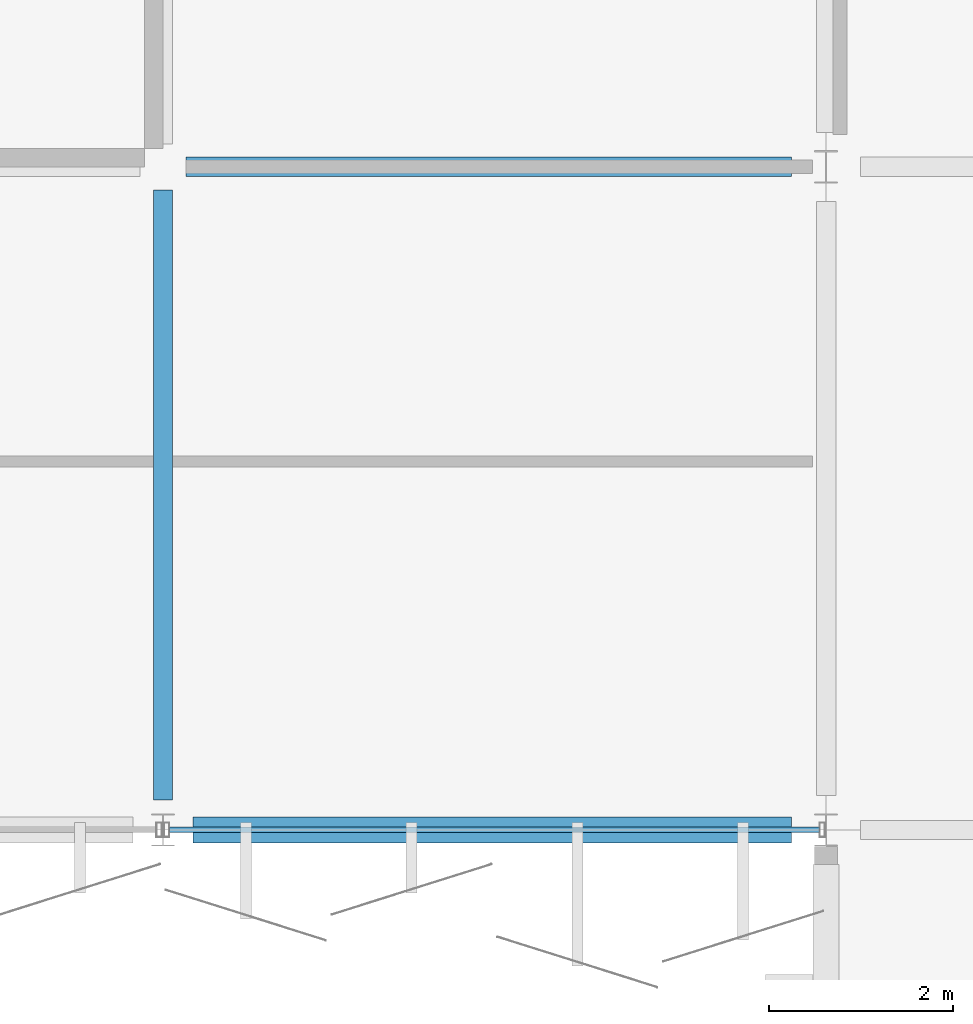
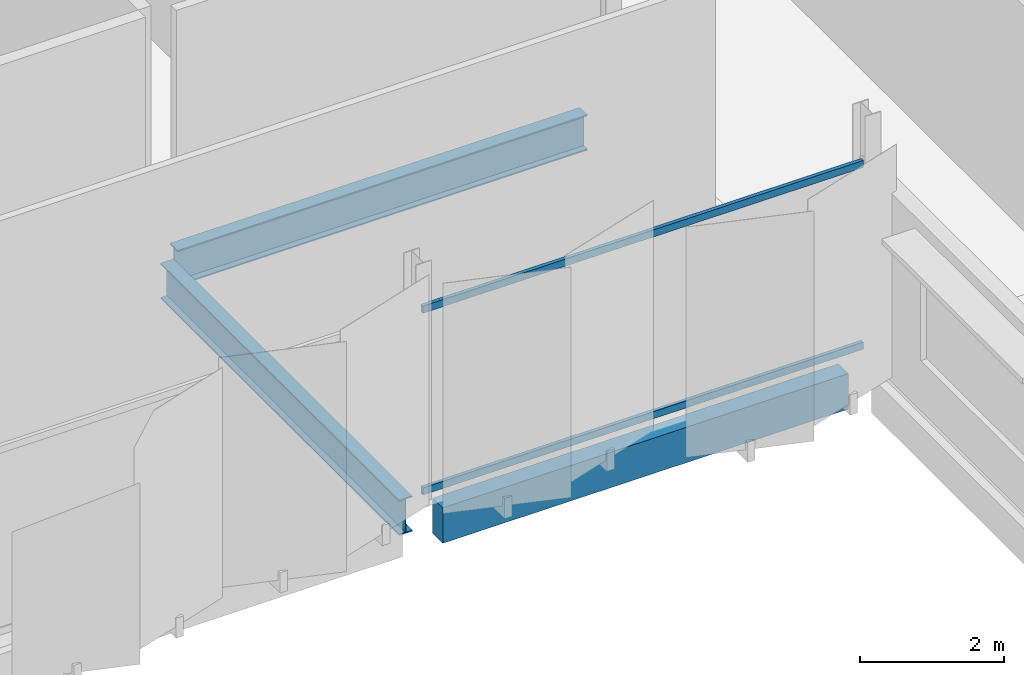
# One storey, part 50 of 91: 3 beams, 2 members, 1 element without a shape of its own.
"""IFC4 building model written with IfcOpenShell, lengths in metres."""

import ifcopenshell
import ifcopenshell.guid

model = None  # the IFC model being written
_history = None  # IfcOwnerHistory: only IFC2X3 demands one
_inside = {}  # id of a spatial element -> (the spatial element, [elements in it])
_under = {}  # id of a project, library or spatial element -> (it, [spatial elements below it])
_declared = {}  # id of a project -> (the project, [libraries it declares])
_typed = {}  # id of a type object -> (the type object, [elements of that type])
_made_of = {}  # id of a material, layer set ... -> (it, [elements and type objects made of it])


def new_model(schema):
    """Start an empty IFC model of exactly this schema.

    Asked for "IFC4X3", IfcOpenShell would pick the latest addendum, in which some entities
    have other attributes; the version numbers below select the first issue.
    IFC2X3 requires an IfcOwnerHistory on every rooted entity: one is made here for all.
    """
    global model, _history
    if schema == "IFC4X3":
        model = ifcopenshell.file(schema_version=(4, 3, 0, 0))
    else:
        model = ifcopenshell.file(schema=schema)
    _inside.clear()
    _under.clear()
    _declared.clear()
    _typed.clear()
    _made_of.clear()
    _history = None
    if model.schema == "IFC2X3":
        org = make("IfcOrganization", Name="unknown")
        user = make(
            "IfcPersonAndOrganization",
            ThePerson=make("IfcPerson", FamilyName="unknown"),
            TheOrganization=org,
        )
        app = make(
            "IfcApplication",
            ApplicationDeveloper=org,
            Version="unknown",
            ApplicationFullName="unknown",
            ApplicationIdentifier="unknown",
        )
        _history = make(
            "IfcOwnerHistory",
            OwningUser=user,
            OwningApplication=app,
            ChangeAction="ADDED",
            CreationDate=0,
        )
    return model


def make(cls, **values):
    """One entity of the class cls with the attributes given. An attribute that is None is left unset."""
    return model.create_entity(
        cls, **{name: value for name, value in values.items() if value is not None}
    )


def rooted(cls, **values):
    """An entity with a GlobalId (a new one), such as an element, a storey or a relation."""
    return make(cls, GlobalId=ifcopenshell.guid.new(), OwnerHistory=_history, **values)


def si_unit(unit_type, name, prefix=None):
    """IfcSIUnit, for example si_unit("LENGTHUNIT", "METRE", prefix="MILLI")."""
    return make("IfcSIUnit", UnitType=unit_type, Prefix=prefix, Name=name)


def assignment(units):
    """IfcUnitAssignment: the units of a project."""
    return None if units is None else make("IfcUnitAssignment", Units=units)


def point(xyz):
    """IfcCartesianPoint."""
    return None if xyz is None else make("IfcCartesianPoint", Coordinates=xyz)


def direction(xyz):
    """IfcDirection."""
    return None if xyz is None else make("IfcDirection", DirectionRatios=xyz)


def frame(location, z_axis=None, x_axis=None):
    """IfcAxis2Placement3D, a coordinate frame: its origin and axes. An axis left out is left unset."""
    return make(
        "IfcAxis2Placement3D",
        Location=point(location),
        Axis=direction(z_axis),
        RefDirection=direction(x_axis),
    )


def frame_2d(location, x_axis=None):
    """IfcAxis2Placement2D, a coordinate frame in the plane: its origin and x axis."""
    return make(
        "IfcAxis2Placement2D", Location=point(location), RefDirection=direction(x_axis)
    )


def origin():
    """The frame at (0, 0, 0) with its axes left unset."""
    return frame((0.0, 0.0, 0.0))


def origin_2d():
    """The frame at (0, 0) in the plane with its x axis left unset."""
    return frame_2d((0.0, 0.0))


def place(relative_to, where):
    """IfcLocalPlacement: puts the frame where relative to a parent placement (None: the world)."""
    return make(
        "IfcLocalPlacement", PlacementRelTo=relative_to, RelativePlacement=where
    )


def context(
    kind, dimensions, precision=None, world=None, true_north=None, identifier=None
):
    """IfcGeometricRepresentationContext, for example the 3D "Model" context."""
    return make(
        "IfcGeometricRepresentationContext",
        ContextIdentifier=identifier,
        ContextType=kind,
        CoordinateSpaceDimension=dimensions,
        Precision=precision,
        WorldCoordinateSystem=world,
        TrueNorth=true_north,
    )


def subcontext(parent, identifier, kind, view, scale=None):
    """IfcGeometricRepresentationSubContext, for example "Body" below "Model"."""
    return make(
        "IfcGeometricRepresentationSubContext",
        ContextIdentifier=identifier,
        ContextType=kind,
        ParentContext=parent,
        TargetScale=scale,
        TargetView=view,
    )


def project(units=None, contexts=None):
    """IfcProject with its units and contexts."""
    return rooted(
        "IfcProject",
        Name="project",
        RepresentationContexts=contexts,
        UnitsInContext=assignment(units),
    )


def spatial(cls, under=None, at=None, **own):
    """A site, building, storey or space (cls), placed at a placement, below another one or the project."""
    s = rooted(cls, ObjectPlacement=at, **own)
    if under is not None:
        _under.setdefault(under.id(), (under, []))[1].append(s)
    return s


def profile(cls, at=None, kind="AREA", **sizes):
    """A parametric profile (cls). Its sizes go by their IFC names, for example OverallWidth=200.0."""
    return make(cls, ProfileType=kind, Position=at, **sizes)


def rectangle(**sizes):
    """IfcRectangleProfileDef."""
    return profile("IfcRectangleProfileDef", **sizes)


def hollow_rectangle(**sizes):
    """IfcRectangleHollowProfileDef."""
    return profile("IfcRectangleHollowProfileDef", **sizes)


def i_section(**sizes):
    """IfcIShapeProfileDef."""
    return profile("IfcIShapeProfileDef", **sizes)


def extrude(swept, where, along, depth):
    """IfcExtrudedAreaSolid: the profile swept, set in the frame where, extruded along a direction by depth."""
    return make(
        "IfcExtrudedAreaSolid",
        SweptArea=swept,
        Position=where,
        ExtrudedDirection=direction(along),
        Depth=depth,
    )


def shape(context_of_items, identifier, shape_type, items):
    """IfcShapeRepresentation: the items that make up one representation, for example the "Body"."""
    return make(
        "IfcShapeRepresentation",
        ContextOfItems=context_of_items,
        RepresentationIdentifier=identifier,
        RepresentationType=shape_type,
        Items=items,
    )


def material(Name=None, Category=None):
    """IfcMaterial."""
    return make("IfcMaterial", Name=Name, Category=Category)


def layer(
    of_material, thickness, ventilated=None, Name=None, Category=None, Priority=None
):
    """IfcMaterialLayer: one layer of a wall or slab, of a material (None: an air gap)."""
    return make(
        "IfcMaterialLayer",
        Material=of_material,
        LayerThickness=thickness,
        IsVentilated=ventilated,
        Name=Name,
        Category=Category,
        Priority=Priority,
    )


def layer_set(layers, Name=None):
    """IfcMaterialLayerSet."""
    return make("IfcMaterialLayerSet", MaterialLayers=layers, LayerSetName=Name)


def material_profile(
    of_material, cross_section, Name=None, Category=None, Priority=None
):
    """IfcMaterialProfile: a cross section and its material."""
    return make(
        "IfcMaterialProfile",
        Name=Name,
        Material=of_material,
        Profile=cross_section,
        Priority=Priority,
        Category=Category,
    )


def profile_set(profiles, Name=None, composite=None):
    """IfcMaterialProfileSet."""
    return make(
        "IfcMaterialProfileSet",
        Name=Name,
        MaterialProfiles=profiles,
        CompositeProfile=composite,
    )


def made_of(thing, what):
    """Note that an element or type object is made of a material, layer set ...; save() writes the relation."""
    if what is not None:
        _made_of.setdefault(what.id(), (what, []))[1].append(thing)
    return thing


def type_object(cls, material=None, **own):
    """A type object (cls), such as IfcWallType, which elements share."""
    return made_of(rooted(cls, **own), material)


def element(
    cls,
    number,
    at=None,
    inside=None,
    cuts=None,
    type_object=None,
    material=None,
    context=None,
    identifier="Body",
    shape_type=None,
    held_by="IfcProductDefinitionShape",
    body=None,
    shapes=None,
    **own,
):
    """One element of the class cls, such as IfcWall. Its Tag is "e" and its number.

    at: its placement. inside: the storey or other place that contains it. cuts: it is an
    opening in that element (IfcRelVoidsElement). A single representation is given by context,
    identifier, shape_type and body (its items); several are given by shapes. held_by: the class
    of the entity that holds the representations. save() writes the other relations.
    """
    e = rooted(cls, Tag="e%d" % number, ObjectPlacement=at, **own)
    if body is not None:
        shapes = [shape(context, identifier, shape_type, body)]
    if shapes is not None:
        e.Representation = make(held_by, Representations=shapes)
    if inside is not None:
        _inside.setdefault(inside.id(), (inside, []))[1].append(e)
    if cuts is not None:
        rooted(
            "IfcRelVoidsElement", RelatingBuildingElement=cuts, RelatedOpeningElement=e
        )
    if type_object is not None:
        _typed.setdefault(type_object.id(), (type_object, []))[1].append(e)
    return made_of(e, material)


def aggregate(whole, parts):
    """IfcRelAggregates: a whole, such as a stair, and the parts it consists of."""
    return rooted("IfcRelAggregates", RelatingObject=whole, RelatedObjects=parts)


def save(model, path):
    """Write the relations noted so far, then the file.

    IfcRelAggregates (storeys below a building ...), IfcRelContainedInSpatialStructure (elements
    in a storey), IfcRelDefinesByType, IfcRelAssociatesMaterial and IfcRelDeclares: one each for
    every whole, place, type object, material and project.
    """
    for whole, parts in _under.values():
        aggregate(whole, parts)
    for where, things in _inside.values():
        rooted(
            "IfcRelContainedInSpatialStructure",
            RelatedElements=things,
            RelatingStructure=where,
        )
    for kind, things in _typed.values():
        rooted("IfcRelDefinesByType", RelatedObjects=things, RelatingType=kind)
    for what, things in _made_of.values():
        rooted("IfcRelAssociatesMaterial", RelatedObjects=things, RelatingMaterial=what)
    for by, libraries in _declared.values():
        rooted("IfcRelDeclares", RelatingContext=by, RelatedDefinitions=libraries)
    model.write(path)


model = new_model("IFC4")

# Units and contexts
model_context = context("Model", 3, precision=1e-05, world=origin(), true_north=direction((0.0, 1.0)))
body_context = subcontext(model_context, "Body", "Model", "MODEL_VIEW")
ifc_project = project(units=[si_unit("LENGTHUNIT", "METRE"), si_unit("AREAUNIT", "SQUARE_METRE"), si_unit("VOLUMEUNIT", "CUBIC_METRE"), si_unit("PLANEANGLEUNIT", "RADIAN"), si_unit("MASSUNIT", "GRAM", prefix="KILO")], contexts=[model_context])

# Site, building, storey
site_placement = place(None, origin())
site = spatial("IfcSite", under=ifc_project, at=site_placement, CompositionType="ELEMENT")
building_placement = place(site_placement, origin())
building = spatial("IfcBuilding", under=site, at=building_placement, Name="Kangsadwip Square Police Headquarters", CompositionType="ELEMENT")
storey_placement = place(building_placement, frame((0.0, 0.0, 13.5)))
storey = spatial("IfcBuildingStorey", under=building, at=storey_placement, Name="L03", CompositionType="ELEMENT", Elevation=13.5)

# Curtain wall, members
ifc_material_1 = material(Name="Thermally broken anodised aluminium AW-6063-T6", Category="aluminium")
ifc_layer = layer(ifc_material_1, 0.159912109375)
ifc_layer_set = layer_set([ifc_layer], Name="Thermally broken anodised aluminium AW-6063-T6")
curtain_wall_type = type_object("IfcCurtainWallType", Name="CourtScreen7180x3200", PredefinedType="USERDEFINED", material=ifc_layer_set)
curtain_wall_placement = place(storey_placement, origin())
curtain_wall = element("IfcCurtainWall", 1, at=curtain_wall_placement, inside=storey, type_object=curtain_wall_type, Name="Curtain Wall CW-L03-1368-0936", ObjectType="GLAZED_SCREEN", PredefinedType="USERDEFINED")
ifc_material_2 = material(Name="Thermally broken anodised aluminium AW-6063-T6", Category="aluminium")
ifc_material_profile_1 = material_profile(ifc_material_2, hollow_rectangle(XDim=0.06005859375, YDim=0.1201171875, WallThickness=0.00390625, at=origin_2d()), Name="CWT 120X60X4")
ifc_profile_set_1 = profile_set([ifc_material_profile_1], Name="Thermally broken anodised aluminium AW-6063-T6")
member_type = type_object("IfcMemberType", Name="CwTransom120x55", PredefinedType="USERDEFINED", material=ifc_profile_set_1)
member_1_placement = place(storey_placement, frame((136.8701171875, 93.60009765625, 0.06005859375), z_axis=(1.0, 0.0, 0.0), x_axis=(0.0, 1.0, 0.0)))
member_1 = element("IfcMember", 2, at=member_1_placement, type_object=member_type, Name="CW-17 transom 1.1", ObjectType="TRANSOM", PredefinedType="USERDEFINED", context=body_context, shape_type="SweptSolid", body=[
    extrude(hollow_rectangle(XDim=0.06005859375, YDim=0.1201171875, WallThickness=0.00390625, at=origin_2d()), origin(), (0.0, 0.0, 1.0), 7.059814453125),
])
member_2_placement = place(storey_placement, frame((136.8701171875, 93.60009765625, 3.139892578125), z_axis=(1.0, 0.0, 0.0), x_axis=(0.0, 1.0, 0.0)))
member_2 = element("IfcMember", 3, at=member_2_placement, type_object=member_type, Name="CW-17 transom 1.2", ObjectType="TRANSOM", PredefinedType="USERDEFINED", context=body_context, shape_type="SweptSolid", body=[
    extrude(hollow_rectangle(XDim=0.06005859375, YDim=0.1201171875, WallThickness=0.00390625, at=origin_2d()), origin(), (0.0, 0.0, 1.0), 7.059814453125),
])
aggregate(curtain_wall, [member_1, member_2])

# Beams
ifc_material_3 = material(Name="Concrete M40 (40 MPa)", Category="concrete")
ifc_material_profile_2 = material_profile(ifc_material_3, rectangle(XDim=0.280029296875, YDim=0.60009765625, at=origin_2d()), Name="RC SPN 600X280")
ifc_profile_set_2 = profile_set([ifc_material_profile_2], Name="Concrete M40 (40 MPa)")
beam_type_1 = type_object("IfcBeamType", Name="RcSpandrel600x280", PredefinedType="SPANDREL", material=ifc_profile_set_2)
beam_1_placement = place(storey_placement, frame((137.125, 93.60009765625, -0.5400390625), z_axis=(1.0, 0.0, 0.0), x_axis=(0.0, 1.0, 0.0)))
element("IfcBeam", 4, at=beam_1_placement, inside=storey, type_object=beam_type_1, Name="Beam BM-L03-X-19-13", PredefinedType="SPANDREL", context=body_context, shape_type="SweptSolid", body=[
    extrude(rectangle(XDim=0.280029296875, YDim=0.60009765625, at=origin_2d()), origin(), (0.0, 0.0, 1.0), 6.5),
])
ifc_material_4 = material(Name="Structural steel IS 2062 E350 (Grade 350, 350 MPa)", Category="steel")
ifc_material_profile_3 = material_profile(ifc_material_4, i_section(OverallWidth=0.2099609375, OverallDepth=0.60009765625, WebThickness=0.011962890625, FlangeThickness=0.020751953125, at=origin_2d()), Name="ISMB 600")
ifc_profile_set_3 = profile_set([ifc_material_profile_3], Name="Structural steel IS 2062 E350 (Grade 350, 350 MPa)")
beam_type_2 = type_object("IfcBeamType", Name="SteelBeamIsmb600", PredefinedType="BEAM", material=ifc_profile_set_3)
beam_2_placement = place(storey_placement, frame((137.050048828125, 100.800048828125, -0.5400390625), z_axis=(1.0, 0.0, 0.0), x_axis=(0.0, 1.0, 0.0)))
element("IfcBeam", 5, at=beam_2_placement, inside=storey, type_object=beam_type_2, Name="Beam BM-L03-X-19-14", PredefinedType="BEAM", context=body_context, shape_type="SweptSolid", body=[
    extrude(i_section(OverallWidth=0.2099609375, OverallDepth=0.60009765625, WebThickness=0.011962890625, FlangeThickness=0.020751953125, at=origin_2d()), origin(), (0.0, 0.0, 1.0), 6.574951171875),
])
beam_3_placement = place(storey_placement, frame((136.800048828125, 93.925048828125, -0.5400390625), z_axis=(0.0, 1.0, 0.0), x_axis=(-1.0, 0.0, 0.0)))
element("IfcBeam", 6, at=beam_3_placement, inside=storey, type_object=beam_type_2, Name="Beam BM-L03-Y-19-13", PredefinedType="BEAM", context=body_context, shape_type="SweptSolid", body=[
    extrude(i_section(OverallWidth=0.2099609375, OverallDepth=0.60009765625, WebThickness=0.011962890625, FlangeThickness=0.020751953125, at=origin_2d()), origin(), (0.0, 0.0, 1.0), 6.625),
])

save(model, "model.ifc")
